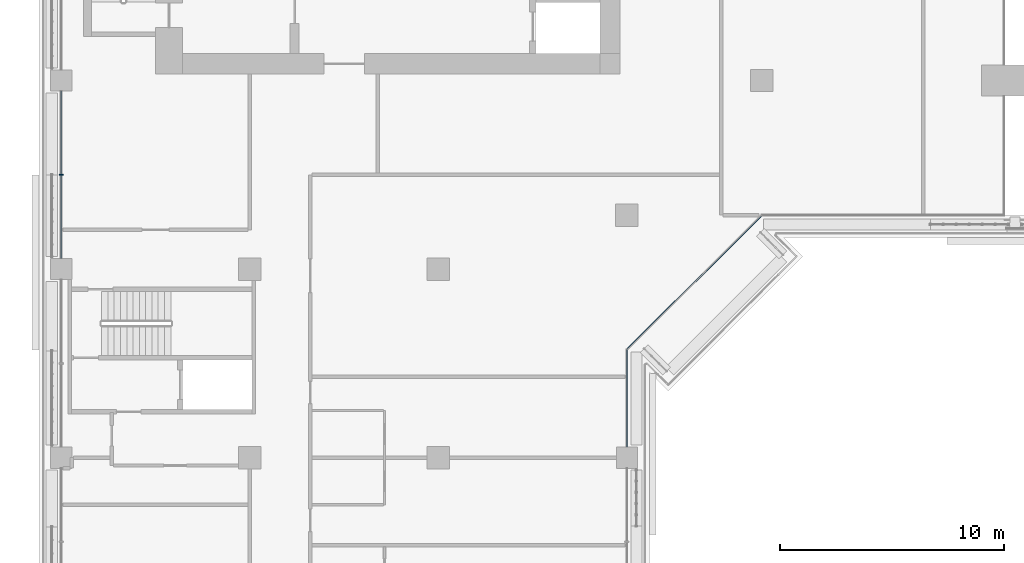
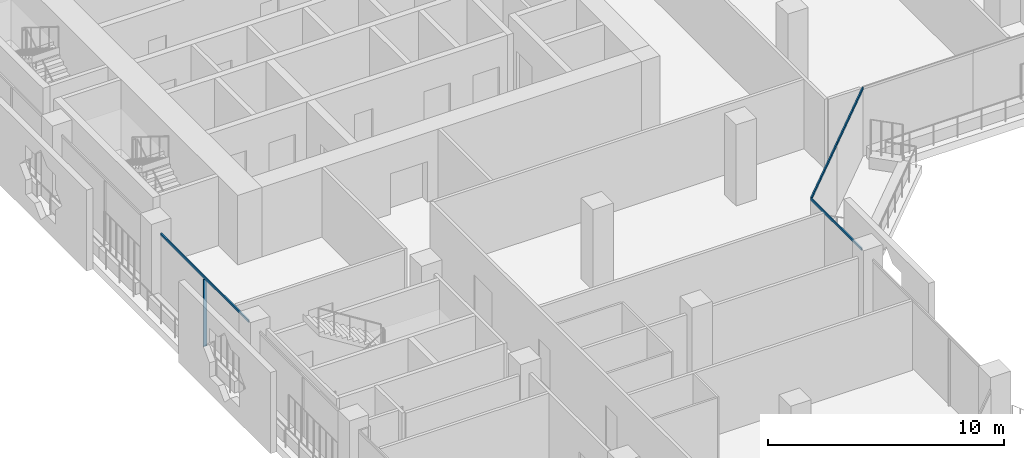
# One storey, part 3 of 23: 5 members, 3 elements without a shape of their own.
"""IFC4 building model written with IfcOpenShell, lengths in metres."""

from ifc_helpers import new_model, si_unit, direction, frame, origin, origin_2d, place, context, subcontext, project, spatial, rectangle, extrude, material, layer, layer_set, material_profile, profile_set, type_object, element, aggregate, save


model = new_model("IFC4")

# Units and contexts
model_context = context("Model", 3, precision=1e-05, world=origin(), true_north=direction((0.0, 1.0)))
body_context = subcontext(model_context, "Body", "Model", "MODEL_VIEW")
ifc_project = project(units=[si_unit("LENGTHUNIT", "METRE"), si_unit("AREAUNIT", "SQUARE_METRE"), si_unit("VOLUMEUNIT", "CUBIC_METRE"), si_unit("PLANEANGLEUNIT", "RADIAN"), si_unit("MASSUNIT", "GRAM", prefix="KILO")], contexts=[model_context])

# Site, building, storey
site_placement = place(None, origin())
site = spatial("IfcSite", under=ifc_project, at=site_placement, CompositionType="ELEMENT")
building_placement = place(site_placement, origin())
building = spatial("IfcBuilding", under=site, at=building_placement, Name="Kawkab Arch Medical Tower", CompositionType="ELEMENT")
storey_placement = place(building_placement, frame((0.0, 0.0, 166.800048828125)))
storey = spatial("IfcBuildingStorey", under=building, at=storey_placement, Name="L38", CompositionType="ELEMENT", Elevation=166.800048828125)

# Curtain wall, members
ifc_material_1 = material(Name="Bronze anodised aluminium curtain wall frame", Category="aluminium")
ifc_layer_1 = layer(ifc_material_1, 0.159912109375)
ifc_layer_set_1 = layer_set([ifc_layer_1], Name="Bronze anodised aluminium curtain wall frame")
curtain_wall_type_1 = type_object("IfcCurtainWallType", Name="CW1 ward curtain wall", PredefinedType="NOTDEFINED", material=ifc_layer_set_1)
placement = place(storey_placement, origin())
curtain_wall_1 = element("IfcCurtainWall", 1, at=placement, inside=storey, type_object=curtain_wall_type_1, Name="CW1 Ward curtain wall R11", PredefinedType="NOTDEFINED")
ifc_material_2 = material(Name="Bronze anodised aluminium curtain wall frame", Category="aluminium")
ifc_material_profile_1 = material_profile(ifc_material_2, rectangle(XDim=0.179931640625, YDim=0.06005859375, at=origin_2d()), Name="AL 60x180")
ifc_profile_set_1 = profile_set([ifc_material_profile_1], Name="Bronze anodised aluminium curtain wall frame")
member_type_1 = type_object("IfcMemberType", Name="CW1 mullion 60 x 180", PredefinedType="MULLION", material=ifc_profile_set_1)
member_1_placement = place(storey_placement, frame((0.0, -29.39990234375, 0.0), z_axis=(0.0, 0.0, 1.0), x_axis=(1.0, 0.0, 0.0)))
member_1 = element("IfcMember", 2, at=member_1_placement, type_object=member_type_1, Name="CW1 mullion 3.1", PredefinedType="MULLION", context=body_context, shape_type="SweptSolid", body=[
    extrude(rectangle(XDim=0.179931640625, YDim=0.06005859375, at=origin_2d()), origin(), (0.0, 0.0, 1.0), 3.47998046875),
])
ifc_material_3 = material(Name="Bronze anodised aluminium curtain wall frame", Category="aluminium")
ifc_material_profile_2 = material_profile(ifc_material_3, rectangle(XDim=0.06005859375, YDim=0.1201171875, at=origin_2d()), Name="AL 60x120")
ifc_profile_set_2 = profile_set([ifc_material_profile_2], Name="Bronze anodised aluminium curtain wall frame")
member_type_2 = type_object("IfcMemberType", Name="CW1 transom 120 x 60", PredefinedType="USERDEFINED", material=ifc_profile_set_2)
member_2_placement = place(storey_placement, frame((0.0, -25.675048828125, 3.5400390625), z_axis=(0.0, -1.0, 0.0), x_axis=(1.0, 0.0, 0.0)))
member_2 = element("IfcMember", 3, at=member_2_placement, type_object=member_type_2, Name="CW1 transom 3", ObjectType="TRANSOM", PredefinedType="USERDEFINED", context=body_context, shape_type="SweptSolid", body=[
    extrude(rectangle(XDim=0.06005859375, YDim=0.1201171875, at=origin_2d()), origin(), (0.0, 0.0, 1.0), 7.449951171875),
])
aggregate(curtain_wall_1, [member_2, member_1])

# Curtain wall, member
curtain_wall_2 = element("IfcCurtainWall", 4, at=placement, inside=storey, type_object=curtain_wall_type_1, Name="CW1 Ward curtain wall R15", PredefinedType="NOTDEFINED")
member_3_placement = place(storey_placement, frame((25.199951171875, -41.52490234375, 3.5400390625), z_axis=(0.0, 1.0, 0.0), x_axis=(-1.0, 0.0, 0.0)))
member_3 = element("IfcMember", 5, at=member_3_placement, type_object=member_type_2, Name="CW1 transom 2", ObjectType="TRANSOM", PredefinedType="USERDEFINED", context=body_context, shape_type="SweptSolid", body=[
    extrude(rectangle(XDim=0.06005859375, YDim=0.1201171875, at=origin_2d()), origin(), (0.0, 0.0, 1.0), 4.324951171875),
])
aggregate(curtain_wall_2, [member_3])

# Curtain wall, members
ifc_material_4 = material(Name="Bronze anodised aluminium curtain wall frame", Category="aluminium")
ifc_layer_2 = layer(ifc_material_4, 0.159912109375)
ifc_layer_set_2 = layer_set([ifc_layer_2], Name="Bronze anodised aluminium curtain wall frame")
curtain_wall_type_2 = type_object("IfcCurtainWallType", Name="CW2 chamfer curtain wall", PredefinedType="NOTDEFINED", material=ifc_layer_set_2)
curtain_wall_3 = element("IfcCurtainWall", 6, at=placement, inside=storey, type_object=curtain_wall_type_2, Name="CW2 Chamfer curtain wall R16", PredefinedType="NOTDEFINED")
ifc_material_5 = material(Name="Bronze anodised aluminium curtain wall frame", Category="aluminium")
ifc_material_profile_3 = material_profile(ifc_material_5, rectangle(XDim=0.06005859375, YDim=0.139892578125, at=origin_2d()), Name="AL 60x140")
ifc_profile_set_3 = profile_set([ifc_material_profile_3], Name="Bronze anodised aluminium curtain wall frame")
member_type_3 = type_object("IfcMemberType", Name="CW2 transom 140 x 60", PredefinedType="USERDEFINED", material=ifc_profile_set_3)
member_4_placement = place(storey_placement, frame((25.199951171875, -37.199951171875, 3.530029296875), z_axis=(0.707106781187, 0.707106781187, 0.0), x_axis=(-0.707106781187, 0.707106781187, 0.0)))
member_4 = element("IfcMember", 7, at=member_4_placement, type_object=member_type_3, Name="CW2 transom 1", ObjectType="TRANSOM", PredefinedType="USERDEFINED", context=body_context, shape_type="SweptSolid", body=[
    extrude(rectangle(XDim=0.06005859375, YDim=0.139892578125, at=origin_2d()), origin(), (0.0, 0.0, 1.0), 4.24267578125),
])
member_5_placement = place(storey_placement, frame((28.199951171875, -34.199951171875, 3.530029296875), z_axis=(0.707106781187, 0.707106781187, 0.0), x_axis=(-0.707106781187, 0.707106781187, 0.0)))
member_5 = element("IfcMember", 8, at=member_5_placement, type_object=member_type_3, Name="CW2 transom 2", ObjectType="TRANSOM", PredefinedType="USERDEFINED", context=body_context, shape_type="SweptSolid", body=[
    extrude(rectangle(XDim=0.06005859375, YDim=0.139892578125, at=origin_2d()), origin(), (0.0, 0.0, 1.0), 4.24267578125),
])
aggregate(curtain_wall_3, [member_4, member_5])

save(model, "model.ifc")
